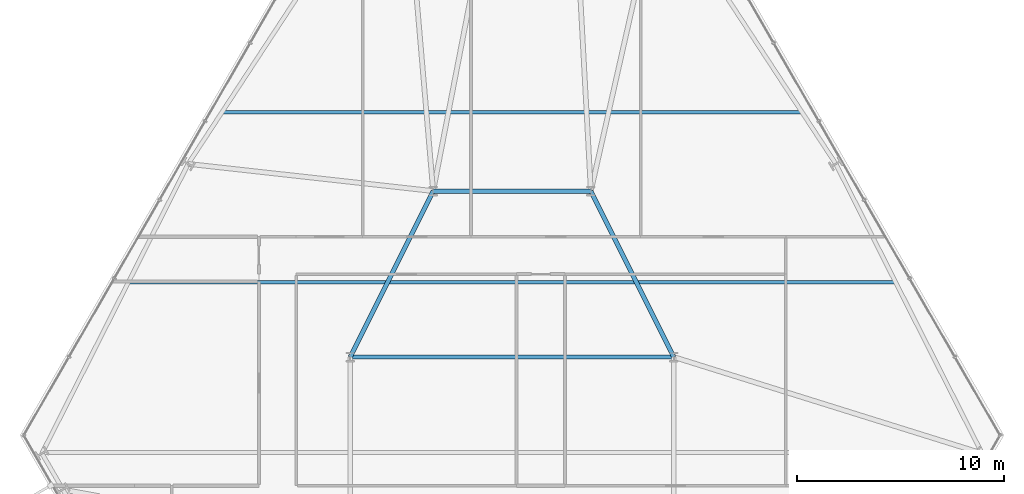
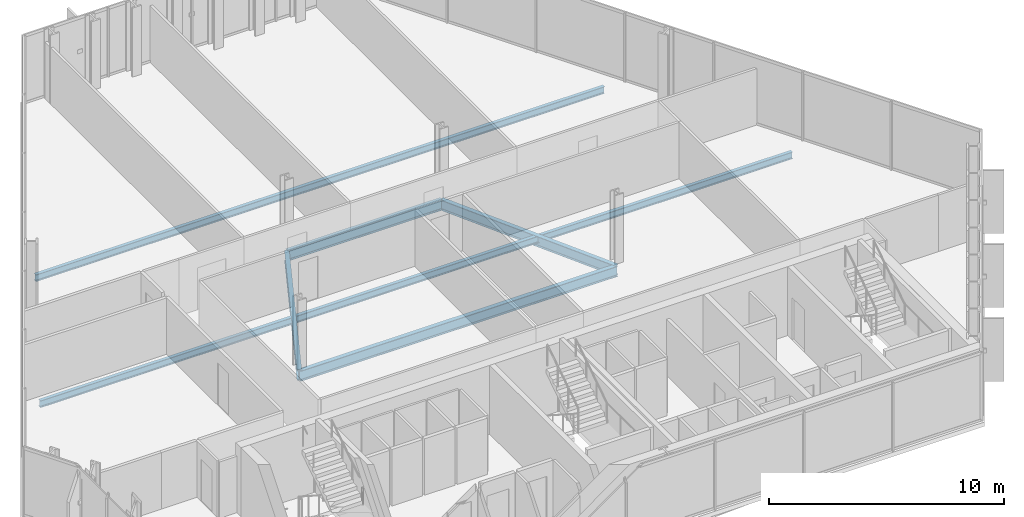
# One storey, part 13 of 33: 6 beams.
"""IFC4 building model written with IfcOpenShell, lengths in metres."""

from ifc_helpers import new_model, si_unit, direction, frame, origin, origin_2d, place, context, subcontext, project, spatial, i_section, extrude, material, material_profile, profile_set, type_object, element, save


model = new_model("IFC4")

# Units and contexts
model_context = context("Model", 3, precision=1e-05, world=origin(), true_north=direction((0.0, 1.0)))
body_context = subcontext(model_context, "Body", "Model", "MODEL_VIEW")
ifc_project = project(units=[si_unit("LENGTHUNIT", "METRE"), si_unit("AREAUNIT", "SQUARE_METRE"), si_unit("VOLUMEUNIT", "CUBIC_METRE"), si_unit("PLANEANGLEUNIT", "RADIAN"), si_unit("MASSUNIT", "GRAM", prefix="KILO")], contexts=[model_context])

# Site, building, storey
site_placement = place(None, origin())
site = spatial("IfcSite", under=ifc_project, at=site_placement, CompositionType="ELEMENT")
building_placement = place(site_placement, origin())
building = spatial("IfcBuilding", under=site, at=building_placement, Name="Ndaravel Arena Tower", CompositionType="ELEMENT")
storey_placement = place(building_placement, frame((0.0, 0.0, 39.800048828125)))
storey = spatial("IfcBuildingStorey", under=building, at=storey_placement, Name="L07", CompositionType="ELEMENT", Elevation=39.800048828125)

# Beams
ifc_material_1 = material(Name="Steel S355", Category="steel")
ifc_material_profile_1 = material_profile(ifc_material_1, i_section(OverallWidth=0.210693359375, OverallDepth=0.53955078125, WebThickness=0.01171875, FlangeThickness=0.018798828125, FilletRadius=0.0126953125, at=origin_2d()), Name="UB 533x210x109")
ifc_profile_set_1 = profile_set([ifc_material_profile_1], Name="Steel S355")
beam_type_1 = type_object("IfcBeamType", Name="BM-GIRD-UB533", PredefinedType="BEAM", material=ifc_profile_set_1)
beam_1_placement = place(storey_placement, frame((34.199951171875, 23.199951171875, -0.48974609375), z_axis=(1.0, 0.0, 0.0), x_axis=(0.0, 1.0, 0.0)))
element("IfcBeam", 1, at=beam_1_placement, inside=storey, type_object=beam_type_1, Name="L07 Spine Link Girder SLG-03", PredefinedType="BEAM", context=body_context, shape_type="SweptSolid", body=[
    extrude(i_section(OverallWidth=0.210693359375, OverallDepth=0.53955078125, WebThickness=0.01171875, FlangeThickness=0.018798828125, FilletRadius=0.0126953125, at=origin_2d()), origin(), (0.0, 0.0, 1.0), 15.60009765625),
])
for number, where, z_axis, x_axis, name in (
    (2, (34.199951171875, 23.199951171875, -0.48974609375), (0.4472135955, 0.894427191, 0.0), (-0.894427191, 0.4472135955, 0.0), "L07 Spine Link Girder SLG-04"),
    (3, (49.800048828125, 23.199951171875, -0.48974609375), (-0.4472135955, 0.894427191, 0.0), (-0.894427191, -0.4472135955, 0.0), "L07 Spine Link Girder SLG-05"),
):
    element("IfcBeam", number, at=place(storey_placement, frame(where, z_axis=z_axis, x_axis=x_axis)), inside=storey, type_object=beam_type_1, Name=name, PredefinedType="BEAM", context=body_context, shape_type="SweptSolid", body=[
        extrude(i_section(OverallWidth=0.210693359375, OverallDepth=0.53955078125, WebThickness=0.01171875, FlangeThickness=0.018798828125, FilletRadius=0.0126953125, at=origin_2d()), origin(), (0.0, 0.0, 1.0), 8.9443359375),
    ])
beam_2_placement = place(storey_placement, frame((38.199951171875, 31.199951171875, -0.48974609375), z_axis=(1.0, 0.0, 0.0), x_axis=(0.0, 1.0, 0.0)))
element("IfcBeam", 4, at=beam_2_placement, inside=storey, type_object=beam_type_1, Name="L07 Spine Link Girder SLG-06", PredefinedType="BEAM", context=body_context, shape_type="SweptSolid", body=[
    extrude(i_section(OverallWidth=0.210693359375, OverallDepth=0.53955078125, WebThickness=0.01171875, FlangeThickness=0.018798828125, FilletRadius=0.0126953125, at=origin_2d()), origin(), (0.0, 0.0, 1.0), 7.60009765625),
])
ifc_material_2 = material(Name="Steel S355", Category="steel")
ifc_material_profile_2 = material_profile(ifc_material_2, i_section(OverallWidth=0.169921875, OverallDepth=0.360107421875, WebThickness=0.008056640625, FlangeThickness=0.0126953125, FilletRadius=0.01806640625, at=origin_2d()), Name="IPE 360")
ifc_profile_set_2 = profile_set([ifc_material_profile_2], Name="Steel S355")
beam_type_2 = type_object("IfcBeamType", Name="BM-JOIST-IPE360", PredefinedType="JOIST", material=ifc_profile_set_2)
beam_3_placement = place(storey_placement, frame((23.509521484375, 26.800048828125, -0.400146484375), z_axis=(1.0, 0.0, 0.0), x_axis=(0.0, 1.0, 0.0)))
element("IfcBeam", 5, at=beam_3_placement, inside=storey, type_object=beam_type_2, Name="L07 Composite Floor Joist FJ-02", PredefinedType="JOIST", context=body_context, shape_type="SweptSolid", body=[
    extrude(i_section(OverallWidth=0.169921875, OverallDepth=0.360107421875, WebThickness=0.008056640625, FlangeThickness=0.0126953125, FilletRadius=0.01806640625, at=origin_2d()), origin(), (0.0, 0.0, 1.0), 36.98095703125),
])
beam_4_placement = place(storey_placement, frame((28.0234375, 35.0, -0.400146484375), z_axis=(1.0, 0.0, 0.0), x_axis=(0.0, 1.0, 0.0)))
element("IfcBeam", 6, at=beam_4_placement, inside=storey, type_object=beam_type_2, Name="L07 Composite Floor Joist FJ-03", PredefinedType="JOIST", context=body_context, shape_type="SweptSolid", body=[
    extrude(i_section(OverallWidth=0.169921875, OverallDepth=0.360107421875, WebThickness=0.008056640625, FlangeThickness=0.0126953125, FilletRadius=0.01806640625, at=origin_2d()), origin(), (0.0, 0.0, 1.0), 27.953125),
])

save(model, "model.ifc")
